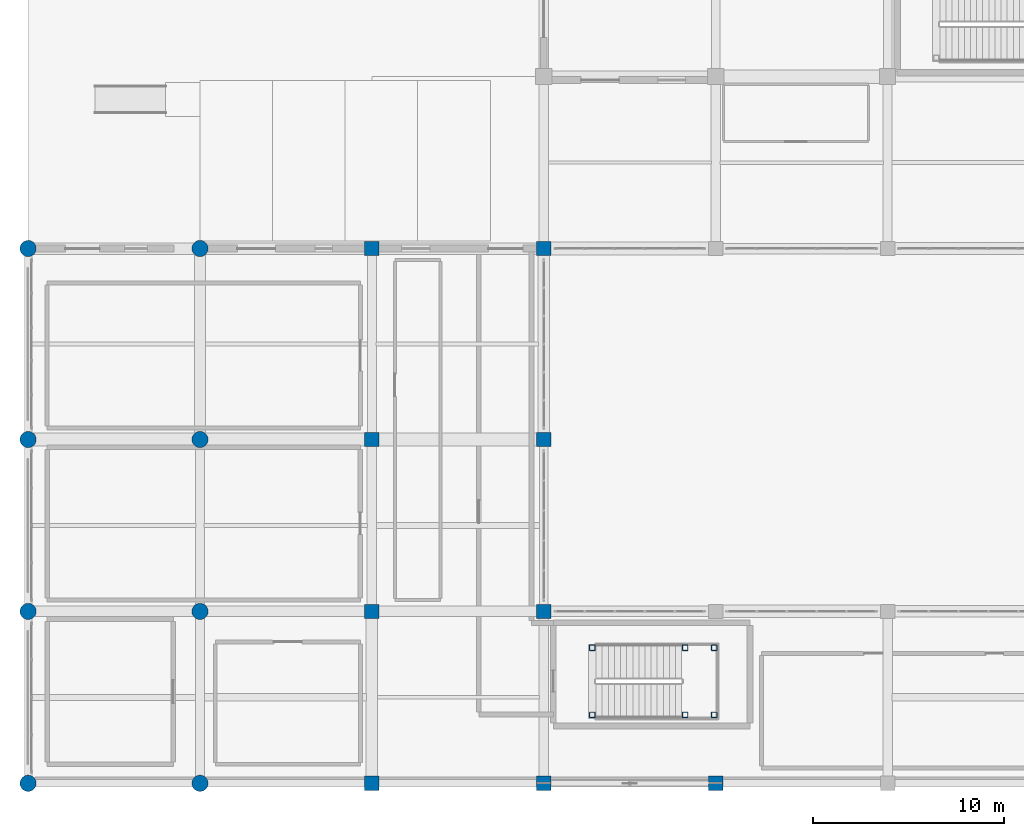
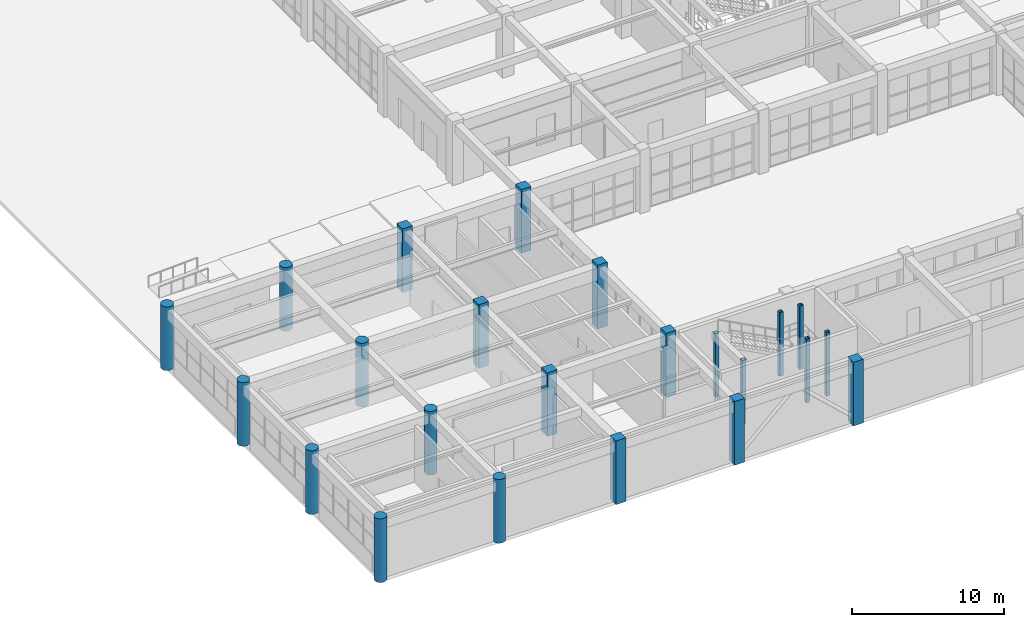
# One storey, part 1 of 128: 23 columns.
"""IFC4 building model written with IfcOpenShell, lengths in metres."""

from ifc_helpers import new_model, si_unit, direction, frame, origin, origin_2d, place, context, subcontext, project, spatial, rectangle, hollow_rectangle, circle, extrude, material, material_profile, profile_set, type_object, element, save


model = new_model("IFC4")

# Units and contexts
model_context = context("Model", 3, precision=1e-05, world=origin(), true_north=direction((0.0, 1.0)))
body_context = subcontext(model_context, "Body", "Model", "MODEL_VIEW")
ifc_project = project(units=[si_unit("LENGTHUNIT", "METRE"), si_unit("AREAUNIT", "SQUARE_METRE"), si_unit("VOLUMEUNIT", "CUBIC_METRE"), si_unit("PLANEANGLEUNIT", "RADIAN"), si_unit("MASSUNIT", "GRAM", prefix="KILO")], contexts=[model_context])

# Site, building, storey
site_placement = place(None, origin())
site = spatial("IfcSite", under=ifc_project, at=site_placement, CompositionType="ELEMENT")
building_placement = place(site_placement, origin())
building = spatial("IfcBuilding", under=site, at=building_placement, Name="Miravela Opera House", CompositionType="ELEMENT")
storey_placement = place(building_placement, origin())
storey = spatial("IfcBuildingStorey", under=building, at=storey_placement, Name="L00", CompositionType="ELEMENT", Elevation=0.0)

# Columns
ifc_material_1 = material(Name="Hollow structural steel ASTM A500 Gr. C", Category="steel")
ifc_material_profile_1 = material_profile(ifc_material_1, hollow_rectangle(XDim=0.300048828125, YDim=0.300048828125, WallThickness=0.01611328125, InnerFilletRadius=0.01611328125, OuterFilletRadius=0.031982421875, at=origin_2d()), Name="HSS300X300X16")
ifc_profile_set_1 = profile_set([ifc_material_profile_1])
column_type_1 = type_object("IfcColumnType", Name="STR-COL-HSS300", PredefinedType="COLUMN", material=ifc_profile_set_1)
for number, where, z_axis, x_axis, name in (
    (1, (29.5400390625, 3.580078125, 0.0), (0.0, 0.0, 1.0), (1.0, 0.0, 0.0), "Stair ST-08 Landing Support Column 1 (L00)"),
    (2, (29.5400390625, 7.10009765625, 0.0), (0.0, 0.0, 1.0), (1.0, 0.0, 0.0), "Stair ST-08 Landing Support Column 2 (L00)"),
    (3, (34.39990234375, 3.580078125, 0.0), (0.0, 0.0, 1.0), (1.0, 0.0, 0.0), "Stair ST-08 Landing Support Column 3 (L00)"),
    (4, (34.39990234375, 7.10009765625, 0.0), (0.0, 0.0, 1.0), (1.0, 0.0, 0.0), "Stair ST-08 Landing Support Column 4 (L00)"),
    (5, (35.919921875, 3.580078125, 0.0), (0.0, 0.0, 1.0), (1.0, 0.0, 0.0), "Stair ST-08 Landing Support Column 5 (L00)"),
    (6, (35.919921875, 7.10009765625, 0.0), (0.0, 0.0, 1.0), (1.0, 0.0, 0.0), "Stair ST-08 Landing Support Column 6 (L00)"),
):
    element("IfcColumn", number, at=place(storey_placement, frame(where, z_axis=z_axis, x_axis=x_axis)), inside=storey, type_object=column_type_1, Name=name, PredefinedType="COLUMN", context=body_context, shape_type="SweptSolid", body=[
        extrude(hollow_rectangle(XDim=0.300048828125, YDim=0.300048828125, WallThickness=0.01611328125, InnerFilletRadius=0.01611328125, OuterFilletRadius=0.031982421875, at=origin_2d()), origin(), (0.0, 0.0, 1.0), 5.10009765625),
    ])
ifc_material_2 = material(Name="Concrete C35/45", Category="concrete")
ifc_material_profile_2 = material_profile(ifc_material_2, rectangle(XDim=0.75, YDim=0.75, at=origin_2d()), Name="RC-COL-750X750")
ifc_profile_set_2 = profile_set([ifc_material_profile_2])
column_type_2 = type_object("IfcColumnType", Name="STR-COL-RC750", PredefinedType="COLUMN", material=ifc_profile_set_2)
for number, where, z_axis, x_axis, name in (
    (7, (18.0, 0.0, 0.0), (0.0, 0.0, 1.0), (1.0, 0.0, 0.0), "Column C-3A (L00)"),
    (8, (18.0, 9.0, 0.0), (0.0, 0.0, 1.0), (1.0, 0.0, 0.0), "Column C-3B (L00)"),
    (9, (18.0, 18.0, 0.0), (0.0, 0.0, 1.0), (1.0, 0.0, 0.0), "Column C-3C (L00)"),
    (10, (18.0, 28.0, 0.0), (0.0, 0.0, 1.0), (1.0, 0.0, 0.0), "Column C-3D (L00)"),
    (11, (27.0, 0.0, 0.0), (0.0, 0.0, 1.0), (1.0, 0.0, 0.0), "Column C-4A (L00)"),
    (12, (27.0, 9.0, 0.0), (0.0, 0.0, 1.0), (1.0, 0.0, 0.0), "Column C-4B (L00)"),
    (13, (27.0, 18.0, 0.0), (0.0, 0.0, 1.0), (1.0, 0.0, 0.0), "Column C-4C (L00)"),
    (14, (27.0, 28.0, 0.0), (0.0, 0.0, 1.0), (1.0, 0.0, 0.0), "Column C-4D (L00)"),
    (15, (36.0, 0.0, 0.0), (0.0, 0.0, 1.0), (1.0, 0.0, 0.0), "Column C-5A (L00)"),
):
    element("IfcColumn", number, at=place(storey_placement, frame(where, z_axis=z_axis, x_axis=x_axis)), inside=storey, type_object=column_type_2, Name=name, PredefinedType="COLUMN", context=body_context, shape_type="SweptSolid", body=[
        extrude(rectangle(XDim=0.75, YDim=0.75, at=origin_2d()), origin(), (0.0, 0.0, 1.0), 5.10009765625),
    ])
ifc_material_3 = material(Name="Concrete C40/50", Category="concrete")
ifc_material_profile_3 = material_profile(ifc_material_3, circle(Radius=0.425048828125, at=origin_2d()), Name="RC-COL-D850")
ifc_profile_set_3 = profile_set([ifc_material_profile_3])
column_type_3 = type_object("IfcColumnType", Name="STR-COL-RCD850", PredefinedType="COLUMN", material=ifc_profile_set_3)
for number, where, z_axis, x_axis, name in (
    (16, (0.0, 0.0, 0.0), (0.0, 0.0, 1.0), (1.0, 0.0, 0.0), "Column C-1A (L00)"),
    (17, (0.0, 9.0, 0.0), (0.0, 0.0, 1.0), (1.0, 0.0, 0.0), "Column C-1B (L00)"),
    (18, (0.0, 18.0, 0.0), (0.0, 0.0, 1.0), (1.0, 0.0, 0.0), "Column C-1C (L00)"),
    (19, (0.0, 28.0, 0.0), (0.0, 0.0, 1.0), (1.0, 0.0, 0.0), "Column C-1D (L00)"),
    (20, (9.0, 0.0, 0.0), (0.0, 0.0, 1.0), (1.0, 0.0, 0.0), "Column C-2A (L00)"),
    (21, (9.0, 9.0, 0.0), (0.0, 0.0, 1.0), (1.0, 0.0, 0.0), "Column C-2B (L00)"),
    (22, (9.0, 18.0, 0.0), (0.0, 0.0, 1.0), (1.0, 0.0, 0.0), "Column C-2C (L00)"),
    (23, (9.0, 28.0, 0.0), (0.0, 0.0, 1.0), (1.0, 0.0, 0.0), "Column C-2D (L00)"),
):
    element("IfcColumn", number, at=place(storey_placement, frame(where, z_axis=z_axis, x_axis=x_axis)), inside=storey, type_object=column_type_3, Name=name, PredefinedType="COLUMN", context=body_context, shape_type="SweptSolid", body=[
        extrude(circle(Radius=0.425048828125, at=origin_2d()), origin(), (0.0, 0.0, 1.0), 5.10009765625),
    ])

save(model, "model.ifc")
